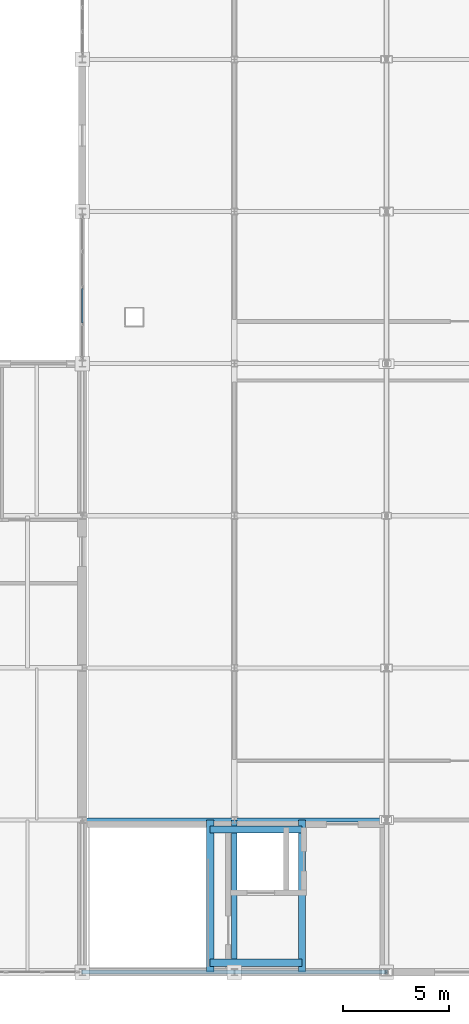
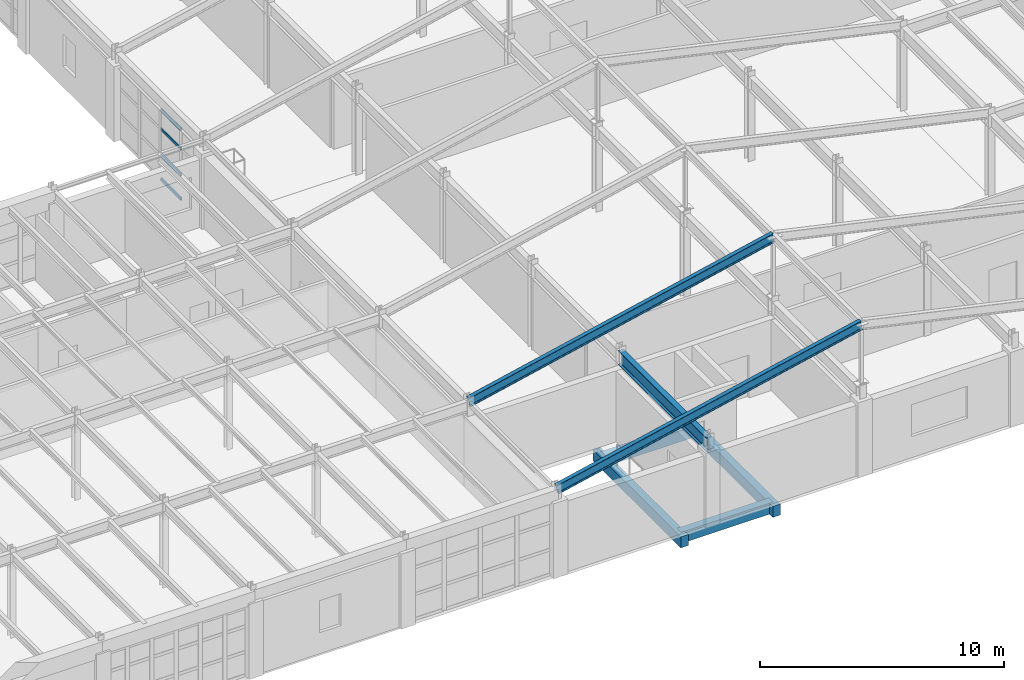
# One storey, part 75 of 137: 7 beams, 4 members, 1 element without a shape of its own.
"""IFC4 building model written with IfcOpenShell, lengths in metres."""

from ifc_helpers import new_model, si_unit, direction, frame, origin, origin_2d, place, context, subcontext, project, spatial, rectangle, hollow_rectangle, i_section, extrude, material, layer, layer_set, material_profile, profile_set, type_object, element, aggregate, save


model = new_model("IFC4")

# Units and contexts
model_context = context("Model", 3, precision=1e-05, world=origin(), true_north=direction((0.0, 1.0)))
body_context = subcontext(model_context, "Body", "Model", "MODEL_VIEW")
ifc_project = project(units=[si_unit("LENGTHUNIT", "METRE"), si_unit("AREAUNIT", "SQUARE_METRE"), si_unit("VOLUMEUNIT", "CUBIC_METRE"), si_unit("PLANEANGLEUNIT", "RADIAN"), si_unit("MASSUNIT", "GRAM", prefix="KILO")], contexts=[model_context])

# Site, building, storey
site_placement = place(None, origin())
site = spatial("IfcSite", under=ifc_project, at=site_placement, CompositionType="ELEMENT")
building_placement = place(site_placement, origin())
building = spatial("IfcBuilding", under=site, at=building_placement, Name="Kemerveld Promenade Tramway Depot", CompositionType="ELEMENT")
storey_placement = place(building_placement, frame((0.0, 0.0, 5.39990234375)))
storey = spatial("IfcBuildingStorey", under=building, at=storey_placement, Name="L01", CompositionType="ELEMENT", Elevation=5.39990234375)

# Beams
ifc_material_1 = material(Name="Steel S355", Category="steel")
ifc_material_profile_1 = material_profile(ifc_material_1, i_section(OverallWidth=0.25439453125, OverallDepth=0.6875, WebThickness=0.01318359375, FlangeThickness=0.02099609375, FilletRadius=0.01513671875, at=origin_2d()), Name="686x254x152 UB")
ifc_profile_set_1 = profile_set([ifc_material_profile_1], Name="Steel S355")
beam_type_1 = type_object("IfcBeamType", Name="BM-G03", PredefinedType="BEAM", material=ifc_profile_set_1)
beam_placement = place(storey_placement, frame((165.60009765625, 0.0, 3.896484375), z_axis=(0.0, 1.0, 0.0), x_axis=(-1.0, 0.0, 0.0)))
element("IfcBeam", 1, at=beam_placement, inside=storey, type_object=beam_type_1, Name="BMY-L01-24-A-B", PredefinedType="BEAM", context=body_context, shape_type="SweptSolid", body=[
    extrude(i_section(OverallWidth=0.25439453125, OverallDepth=0.6875, WebThickness=0.01318359375, FlangeThickness=0.02099609375, FilletRadius=0.01513671875, at=origin_2d()), origin(), (0.0, 0.0, 1.0), 7.199951171875),
])
ifc_material_profile_2 = material_profile(ifc_material_1, i_section(OverallWidth=0.19140625, OverallDepth=0.4599609375, WebThickness=0.010009765625, FlangeThickness=0.01611328125, FilletRadius=0.01025390625, at=origin_2d()), Name="457x191x82 UB")
ifc_profile_set_2 = profile_set([ifc_material_profile_2], Name="Steel S355")
beam_type_2 = type_object("IfcBeamType", Name="BM-G06", PredefinedType="BEAM", material=ifc_profile_set_2)
for number, where, z_axis, x_axis, name in (
    (2, (158.39990234375, 0.0, 4.175048828125), (0.976188228429, 0.0, 0.216925200651), (0.0, 1.0, 0.0), "RAF-V2W-A-A"),
    (3, (158.39990234375, 7.199951171875, 4.175048828125), (0.976188228429, 0.0, 0.216925200651), (0.0, 1.0, 0.0), "RAF-V2W-B-A"),
):
    element("IfcBeam", number, at=place(storey_placement, frame(where, z_axis=z_axis, x_axis=x_axis)), inside=storey, type_object=beam_type_2, Name=name, PredefinedType="BEAM", context=body_context, shape_type="SweptSolid", body=[
        extrude(i_section(OverallWidth=0.19140625, OverallDepth=0.4599609375, WebThickness=0.010009765625, FlangeThickness=0.01611328125, FilletRadius=0.01025390625, at=origin_2d()), origin(), (0.0, 0.0, 1.0), 14.75146484375),
    ])
ifc_material_2 = material(Name="Concrete C40/50", Category="concrete")
ifc_material_profile_3 = material_profile(ifc_material_2, rectangle(XDim=0.35009765625, YDim=0.550048828125, at=origin_2d()), Name="RC-BM-350x550")
ifc_profile_set_3 = profile_set([ifc_material_profile_3], Name="Concrete C40/50")
beam_type_3 = type_object("IfcBeamType", Name="BM-RC3", PredefinedType="BEAM", material=ifc_profile_set_3)
for number, where, z_axis, x_axis, name in (
    (4, (164.449951171875, 0.0, -0.559814453125), (0.0, 1.0, 0.0), (-1.0, 0.0, 0.0), "BM-CORE-C5-L01-W"),
    (5, (168.800048828125, 0.0, -0.559814453125), (0.0, 1.0, 0.0), (-1.0, 0.0, 0.0), "BM-CORE-C5-L01-E"),
):
    element("IfcBeam", number, at=place(storey_placement, frame(where, z_axis=z_axis, x_axis=x_axis)), inside=storey, type_object=beam_type_3, Name=name, PredefinedType="BEAM", context=body_context, shape_type="SweptSolid", body=[
        extrude(rectangle(XDim=0.35009765625, YDim=0.550048828125, at=origin_2d()), origin(), (0.0, 0.0, 1.0), 7.199951171875),
    ])
for number, where, z_axis, x_axis, name in (
    (6, (164.449951171875, 0.449951171875, -0.559814453125), (1.0, 0.0, 0.0), (0.0, 1.0, 0.0), "BM-COREX-C5-L01-S"),
    (7, (164.449951171875, 6.75, -0.559814453125), (1.0, 0.0, 0.0), (0.0, 1.0, 0.0), "BM-COREX-C5-L01-N"),
):
    element("IfcBeam", number, at=place(storey_placement, frame(where, z_axis=z_axis, x_axis=x_axis)), inside=storey, type_object=beam_type_3, Name=name, PredefinedType="BEAM", context=body_context, shape_type="SweptSolid", body=[
        extrude(rectangle(XDim=0.35009765625, YDim=0.550048828125, at=origin_2d()), origin(), (0.0, 0.0, 1.0), 4.35009765625),
    ])

# Curtain wall, members
ifc_material_3 = material(Name="Bronze anodised aluminium and solar glass", Category="aluminium")
ifc_layer = layer(ifc_material_3, 0.199951171875)
ifc_layer_set = layer_set([ifc_layer], Name="CW-SYS-04")
curtain_wall_type = type_object("IfcCurtainWallType", Name="CW-SYS-04", PredefinedType="USERDEFINED", material=ifc_layer_set)
curtain_wall_placement = place(storey_placement, origin())
curtain_wall = element("IfcCurtainWall", 8, at=curtain_wall_placement, inside=storey, type_object=curtain_wall_type, Name="CW-L01-V2W-01", ObjectType="GLAZED_CURTAIN_WALL", PredefinedType="USERDEFINED")
ifc_material_4 = material(Name="Bronze anodised aluminium", Category="aluminium")
ifc_material_profile_4 = material_profile(ifc_material_4, hollow_rectangle(XDim=0.06494140625, YDim=0.14990234375, WallThickness=0.00439453125, InnerFilletRadius=0.001953125, OuterFilletRadius=0.00439453125, at=origin_2d()), Name="CW-TRN-150x65")
ifc_profile_set_4 = profile_set([ifc_material_profile_4], Name="Bronze anodised aluminium")
member_type = type_object("IfcMemberType", Name="CW-TRN-B", PredefinedType="USERDEFINED", material=ifc_profile_set_4)
member_1_placement = place(storey_placement, frame((158.39990234375, 30.72607421875, 0.03271484375), z_axis=(0.0, 1.0, 0.0), x_axis=(-1.0, 0.0, 0.0)))
member_1 = element("IfcMember", 9, at=member_1_placement, type_object=member_type, Name="CW04 transom 2.1", ObjectType="TRANSOM", PredefinedType="USERDEFINED", context=body_context, shape_type="SweptSolid", body=[
    extrude(hollow_rectangle(XDim=0.06494140625, YDim=0.14990234375, WallThickness=0.00439453125, InnerFilletRadius=0.001953125, OuterFilletRadius=0.00439453125, at=origin_2d()), origin(), (0.0, 0.0, 1.0), 1.636474609375),
])
member_2_placement = place(storey_placement, frame((158.39990234375, 30.72607421875, 1.236083984375), z_axis=(0.0, 1.0, 0.0), x_axis=(-1.0, 0.0, 0.0)))
member_2 = element("IfcMember", 10, at=member_2_placement, type_object=member_type, Name="CW04 transom 2.2", ObjectType="TRANSOM", PredefinedType="USERDEFINED", context=body_context, shape_type="SweptSolid", body=[
    extrude(hollow_rectangle(XDim=0.06494140625, YDim=0.14990234375, WallThickness=0.00439453125, InnerFilletRadius=0.001953125, OuterFilletRadius=0.00439453125, at=origin_2d()), origin(), (0.0, 0.0, 1.0), 1.636474609375),
])
member_3_placement = place(storey_placement, frame((158.39990234375, 30.72607421875, 2.543212890625), z_axis=(0.0, 1.0, 0.0), x_axis=(-1.0, 0.0, 0.0)))
member_3 = element("IfcMember", 11, at=member_3_placement, type_object=member_type, Name="CW04 transom 2.3", ObjectType="TRANSOM", PredefinedType="USERDEFINED", context=body_context, shape_type="SweptSolid", body=[
    extrude(hollow_rectangle(XDim=0.06494140625, YDim=0.14990234375, WallThickness=0.00439453125, InnerFilletRadius=0.001953125, OuterFilletRadius=0.00439453125, at=origin_2d()), origin(), (0.0, 0.0, 1.0), 1.636474609375),
])
member_4_placement = place(storey_placement, frame((158.39990234375, 30.72607421875, 3.500244140625), z_axis=(0.0, 1.0, 0.0), x_axis=(-1.0, 0.0, 0.0)))
member_4 = element("IfcMember", 12, at=member_4_placement, type_object=member_type, Name="CW04 transom 2.4", ObjectType="TRANSOM", PredefinedType="USERDEFINED", context=body_context, shape_type="SweptSolid", body=[
    extrude(hollow_rectangle(XDim=0.06494140625, YDim=0.14990234375, WallThickness=0.00439453125, InnerFilletRadius=0.001953125, OuterFilletRadius=0.00439453125, at=origin_2d()), origin(), (0.0, 0.0, 1.0), 1.636474609375),
])
aggregate(curtain_wall, [member_1, member_2, member_3, member_4])

save(model, "model.ifc")
